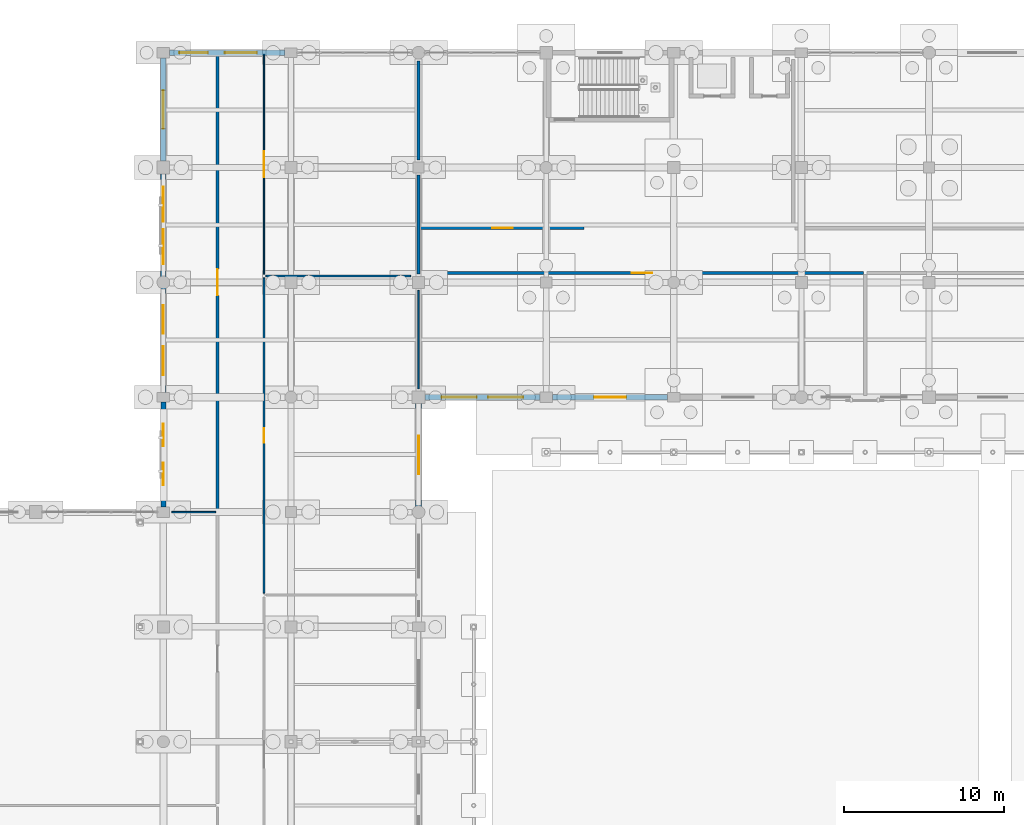
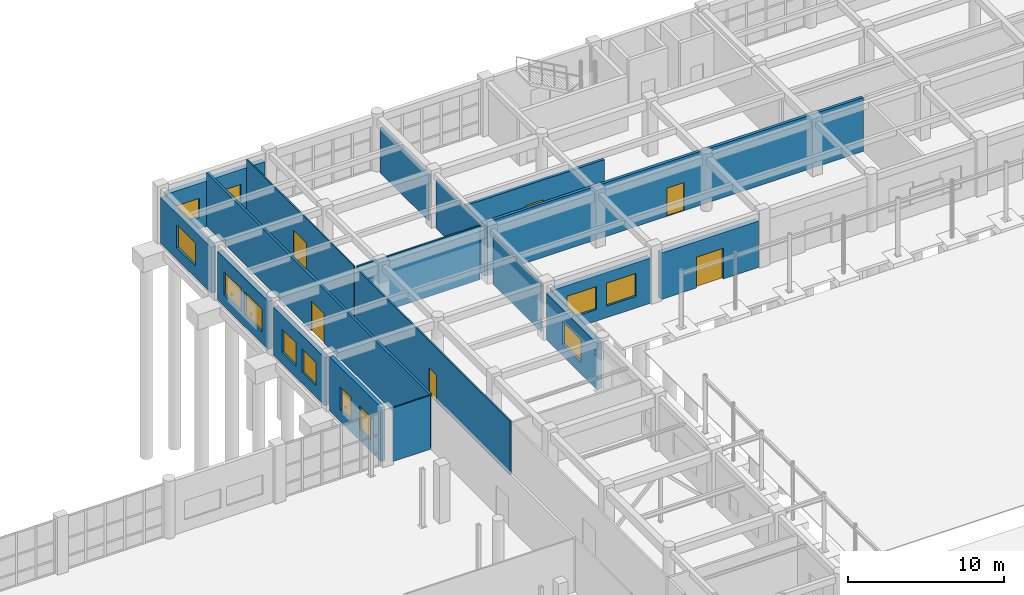
# One storey, part 135 of 166: 18 walls, 12 windows, 6 doors, 18 openings.
"""IFC4 building model written with IfcOpenShell, lengths in metres."""

from ifc_helpers import new_model, si_unit, direction, frame, frame_2d, origin, place, context, subcontext, project, spatial, rectangle, extrude, material, layer, layer_set, type_object, element, fill, save


model = new_model("IFC4")

# Units and contexts
model_context = context("Model", 3, precision=1e-05, world=origin(), true_north=direction((0.0, 1.0)))
body_context = subcontext(model_context, "Body", "Model", "MODEL_VIEW")
ifc_project = project(units=[si_unit("LENGTHUNIT", "METRE"), si_unit("AREAUNIT", "SQUARE_METRE"), si_unit("VOLUMEUNIT", "CUBIC_METRE"), si_unit("PLANEANGLEUNIT", "RADIAN"), si_unit("MASSUNIT", "GRAM", prefix="KILO")], contexts=[model_context])

# Site, building, storey
site_placement = place(None, origin())
site = spatial("IfcSite", under=ifc_project, at=site_placement, CompositionType="ELEMENT")
building_placement = place(site_placement, origin())
building = spatial("IfcBuilding", under=site, at=building_placement, Name="Kharva Crest Polytechnic", CompositionType="ELEMENT")
storey_placement = place(building_placement, origin())
storey = spatial("IfcBuildingStorey", under=building, at=storey_placement, Name="L00", CompositionType="ELEMENT", Elevation=0.0)

# Wall, openings, windows
ifc_material_1 = material(Name="Kiln brick masonry", Category="masonry")
ifc_layer_1 = layer(ifc_material_1, 0.304931640625, Name="Kiln brick masonry")
ifc_layer_set_1 = layer_set([ifc_layer_1], Name="Kiln brick masonry")
wall_type_1 = type_object("IfcWallType", Name="WL-EXT-BRK-305", PredefinedType="SOLIDWALL", material=ifc_layer_set_1)
wall_1_placement = place(storey_placement, frame((32.0, 100.10498046875, 0.0), z_axis=(0.0, 0.0, 1.0), x_axis=(0.0, -1.0, 0.0)))
wall_1 = element("IfcWall", 1, at=wall_1_placement, inside=storey, type_object=wall_type_1, Name="L00 Exterior Brick Wall 121", PredefinedType="SOLIDWALL", context=body_context, shape_type="SweptSolid", body=[
    extrude(rectangle(XDim=6.5849609375, YDim=0.304931640625, at=frame_2d((3.29248046875, 0.0))), origin(), (0.0, 0.0, 1.0), 4.219970703125),
])
opening_1_placement = place(wall_1_placement, frame((1.367919921875, 0.0, 0.89990234375)))
opening_1 = element("IfcOpeningElement", 2, at=opening_1_placement, cuts=wall_1, Name="Opening W07", PredefinedType="OPENING", context=body_context, shape_type="SweptSolid", body=[
    extrude(rectangle(XDim=1.39990234375, YDim=1.800048828125, at=frame_2d((0.699951171875, 0.89990234375))), frame((0.0, 0.162353515625, 0.0), z_axis=(0.0, -1.0, 0.0), x_axis=(1.0, 0.0, 0.0)), (0.0, 0.0, 1.0), 0.324951171875),
])
opening_2_placement = place(wall_1_placement, frame((3.81689453125, 0.0, 0.89990234375)))
opening_2 = element("IfcOpeningElement", 3, at=opening_2_placement, cuts=wall_1, Name="Opening W07", PredefinedType="OPENING", context=body_context, shape_type="SweptSolid", body=[
    extrude(rectangle(XDim=1.39990234375, YDim=1.800048828125, at=frame_2d((0.699951171875, 0.89990234375))), frame((0.0, 0.162353515625, 0.0), z_axis=(0.0, -1.0, 0.0), x_axis=(1.0, 0.0, 0.0)), (0.0, 0.0, 1.0), 0.324951171875),
])
ifc_material_2 = material(Name="Anodised aluminium", Category="aluminium")
window_type_1 = type_object("IfcWindowType", Name="WIN-ALU-1400X1800", PartitioningType="SINGLE_PANEL", PredefinedType="WINDOW", material=ifc_material_2)
window_1_placement = place(opening_1_placement, origin())
window_1 = element("IfcWindow", 4, at=window_1_placement, inside=storey, type_object=window_type_1, Name="L00 Exterior Window 150", OverallHeight=1.800048828125, OverallWidth=1.39990234375, PartitioningType="SINGLE_PANEL", PredefinedType="WINDOW", context=body_context, shape_type="SweptSolid", body=[
    extrude(rectangle(XDim=1.39990234375, YDim=1.800048828125, at=frame_2d((0.699951171875, 0.89990234375))), frame((0.0, 0.030029296875, 0.0), z_axis=(0.0, -1.0, 0.0), x_axis=(1.0, 0.0, 0.0)), (0.0, 0.0, 1.0), 0.06005859375),
])
fill(opening_1, window_1)
window_2_placement = place(opening_2_placement, origin())
window_2 = element("IfcWindow", 5, at=window_2_placement, inside=storey, type_object=window_type_1, Name="L00 Exterior Window 151", OverallHeight=1.800048828125, OverallWidth=1.39990234375, PartitioningType="SINGLE_PANEL", PredefinedType="WINDOW", context=body_context, shape_type="SweptSolid", body=[
    extrude(rectangle(XDim=1.39990234375, YDim=1.800048828125, at=frame_2d((0.699951171875, 0.89990234375))), frame((0.0, 0.030029296875, 0.0), z_axis=(0.0, -1.0, 0.0), x_axis=(1.0, 0.0, 0.0)), (0.0, 0.0, 1.0), 0.06005859375),
])
fill(opening_2, window_2)

ifc_layer_2 = layer(ifc_material_1, 0.320068359375, Name="Kiln brick masonry")
ifc_layer_set_2 = layer_set([ifc_layer_2], Name="Kiln brick masonry")
wall_type_2 = type_object("IfcWallType", Name="WL-EXT-BRK-320", PredefinedType="SOLIDWALL", material=ifc_layer_set_2)
wall_2_placement = place(storey_placement, frame((32.0, 107.263916015625, 0.0), z_axis=(0.0, 0.0, 1.0), x_axis=(0.0, -1.0, 0.0)))
wall_2 = element("IfcWall", 6, at=wall_2_placement, inside=storey, type_object=wall_type_2, Name="L00 Exterior Brick Wall 120", PredefinedType="SOLIDWALL", context=body_context, shape_type="SweptSolid", body=[
    extrude(rectangle(XDim=6.56884765625, YDim=0.320068359375, at=frame_2d((3.284423828125, 0.0))), origin(), (0.0, 0.0, 1.0), 3.760009765625),
])
opening_3_placement = place(wall_2_placement, frame((1.095947265625, 0.0, 0.89990234375)))
opening_3 = element("IfcOpeningElement", 7, at=opening_3_placement, cuts=wall_2, Name="Opening W05", PredefinedType="OPENING", context=body_context, shape_type="SweptSolid", body=[
    extrude(rectangle(XDim=1.800048828125, YDim=1.800048828125, at=frame_2d((0.89990234375, 0.89990234375))), frame((0.0, 0.169921875, 0.0), z_axis=(0.0, -1.0, 0.0), x_axis=(1.0, 0.0, 0.0)), (0.0, 0.0, 1.0), 0.340087890625),
])
opening_4_placement = place(wall_2_placement, frame((3.673095703125, 0.0, 0.89990234375)))
opening_4 = element("IfcOpeningElement", 8, at=opening_4_placement, cuts=wall_2, Name="Opening W05", PredefinedType="OPENING", context=body_context, shape_type="SweptSolid", body=[
    extrude(rectangle(XDim=1.800048828125, YDim=1.800048828125, at=frame_2d((0.89990234375, 0.89990234375))), frame((0.0, 0.169921875, 0.0), z_axis=(0.0, -1.0, 0.0), x_axis=(1.0, 0.0, 0.0)), (0.0, 0.0, 1.0), 0.340087890625),
])
window_type_2 = type_object("IfcWindowType", Name="WIN-ALU-1800X1800", PartitioningType="SINGLE_PANEL", PredefinedType="WINDOW", material=ifc_material_2)
window_3_placement = place(opening_3_placement, origin())
window_3 = element("IfcWindow", 9, at=window_3_placement, inside=storey, type_object=window_type_2, Name="L00 Exterior Window 148", OverallHeight=1.800048828125, OverallWidth=1.800048828125, PartitioningType="SINGLE_PANEL", PredefinedType="WINDOW", context=body_context, shape_type="SweptSolid", body=[
    extrude(rectangle(XDim=1.800048828125, YDim=1.800048828125, at=frame_2d((0.89990234375, 0.89990234375))), frame((0.0, 0.030029296875, 0.0), z_axis=(0.0, -1.0, 0.0), x_axis=(1.0, 0.0, 0.0)), (0.0, 0.0, 1.0), 0.06005859375),
])
fill(opening_3, window_3)
window_4_placement = place(opening_4_placement, origin())
window_4 = element("IfcWindow", 10, at=window_4_placement, inside=storey, type_object=window_type_2, Name="L00 Exterior Window 149", OverallHeight=1.800048828125, OverallWidth=1.800048828125, PartitioningType="SINGLE_PANEL", PredefinedType="WINDOW", context=body_context, shape_type="SweptSolid", body=[
    extrude(rectangle(XDim=1.800048828125, YDim=1.800048828125, at=frame_2d((0.89990234375, 0.89990234375))), frame((0.0, 0.030029296875, 0.0), z_axis=(0.0, -1.0, 0.0), x_axis=(1.0, 0.0, 0.0)), (0.0, 0.0, 1.0), 0.06005859375),
])
fill(opening_4, window_4)

ifc_layer_3 = layer(ifc_material_1, 0.3349609375, Name="Kiln brick masonry")
ifc_layer_set_3 = layer_set([ifc_layer_3], Name="Kiln brick masonry")
wall_type_3 = type_object("IfcWallType", Name="WL-EXT-BRK-335", PredefinedType="SOLIDWALL", material=ifc_layer_set_3)
wall_3_placement = place(storey_placement, frame((32.0, 114.405029296875, 0.0), z_axis=(0.0, 0.0, 1.0), x_axis=(0.0, -1.0, 0.0)))
wall_3 = element("IfcWall", 11, at=wall_3_placement, inside=storey, type_object=wall_type_3, Name="L00 Exterior Brick Wall 119", PredefinedType="SOLIDWALL", context=body_context, shape_type="SweptSolid", body=[
    extrude(rectangle(XDim=6.468994140625, YDim=0.3349609375, at=frame_2d((3.234375, 0.0))), origin(), (0.0, 0.0, 1.0), 3.780029296875),
])
opening_5_placement = place(wall_3_placement, frame((0.7958984375, 0.0, 0.89990234375)))
opening_5 = element("IfcOpeningElement", 12, at=opening_5_placement, cuts=wall_3, Name="Opening W03", PredefinedType="OPENING", context=body_context, shape_type="SweptSolid", body=[
    extrude(rectangle(XDim=2.199951171875, YDim=1.800048828125, at=frame_2d((1.10009765625, 0.89990234375))), frame((0.0, 0.177490234375, 0.0), z_axis=(0.0, -1.0, 0.0), x_axis=(1.0, 0.0, 0.0)), (0.0, 0.0, 1.0), 0.35498046875),
])
opening_6_placement = place(wall_3_placement, frame((3.472900390625, 0.0, 0.89990234375)))
opening_6 = element("IfcOpeningElement", 13, at=opening_6_placement, cuts=wall_3, Name="Opening W03", PredefinedType="OPENING", context=body_context, shape_type="SweptSolid", body=[
    extrude(rectangle(XDim=2.199951171875, YDim=1.800048828125, at=frame_2d((1.10009765625, 0.89990234375))), frame((0.0, 0.177490234375, 0.0), z_axis=(0.0, -1.0, 0.0), x_axis=(1.0, 0.0, 0.0)), (0.0, 0.0, 1.0), 0.35498046875),
])
window_type_3 = type_object("IfcWindowType", Name="WIN-ALU-2200X1800", PartitioningType="SINGLE_PANEL", PredefinedType="WINDOW", material=ifc_material_2)
window_5_placement = place(opening_5_placement, origin())
window_5 = element("IfcWindow", 14, at=window_5_placement, inside=storey, type_object=window_type_3, Name="L00 Exterior Window 146", OverallHeight=1.800048828125, OverallWidth=2.199951171875, PartitioningType="SINGLE_PANEL", PredefinedType="WINDOW", context=body_context, shape_type="SweptSolid", body=[
    extrude(rectangle(XDim=2.199951171875, YDim=1.800048828125, at=frame_2d((1.10009765625, 0.89990234375))), frame((0.0, 0.030029296875, 0.0), z_axis=(0.0, -1.0, 0.0), x_axis=(1.0, 0.0, 0.0)), (0.0, 0.0, 1.0), 0.06005859375),
])
fill(opening_5, window_5)
window_6_placement = place(opening_6_placement, origin())
window_6 = element("IfcWindow", 15, at=window_6_placement, inside=storey, type_object=window_type_3, Name="L00 Exterior Window 147", OverallHeight=1.800048828125, OverallWidth=2.199951171875, PartitioningType="SINGLE_PANEL", PredefinedType="WINDOW", context=body_context, shape_type="SweptSolid", body=[
    extrude(rectangle(XDim=2.199951171875, YDim=1.800048828125, at=frame_2d((1.10009765625, 0.89990234375))), frame((0.0, 0.030029296875, 0.0), z_axis=(0.0, -1.0, 0.0), x_axis=(1.0, 0.0, 0.0)), (0.0, 0.0, 1.0), 0.06005859375),
])
fill(opening_6, window_6)

# Wall, opening, door
ifc_layer_4 = layer(ifc_material_1, 0.35009765625, Name="Kiln brick masonry")
ifc_layer_set_4 = layer_set([ifc_layer_4], Name="Kiln brick masonry")
wall_type_4 = type_object("IfcWallType", Name="WL-EXT-BRK-350", PredefinedType="SOLIDWALL", material=ifc_layer_set_4)
wall_4_placement = place(storey_placement, frame((56.39501953125, 100.39990234375, 0.0), z_axis=(0.0, 0.0, 1.0), x_axis=(1.0, 0.0, 0.0)))
wall_4 = element("IfcWall", 16, at=wall_4_placement, inside=storey, type_object=wall_type_4, Name="L00 Exterior Brick Wall 81", PredefinedType="SOLIDWALL", context=body_context, shape_type="SweptSolid", body=[
    extrude(rectangle(XDim=7.219970703125, YDim=0.35009765625, at=frame_2d((3.60986328125, 0.0))), origin(), (0.0, 0.0, 1.0), 3.6201171875),
])
opening_7_placement = place(wall_4_placement, frame((2.610107421875, 0.0, 0.0)))
opening_7 = element("IfcOpeningElement", 17, at=opening_7_placement, cuts=wall_4, Name="Opening ED2", PredefinedType="OPENING", context=body_context, shape_type="SweptSolid", body=[
    extrude(rectangle(XDim=2.0, YDim=2.39990234375, at=frame_2d((1.0, 1.199951171875))), frame((0.0, 0.18505859375, 0.0), z_axis=(0.0, -1.0, 0.0), x_axis=(1.0, 0.0, 0.0)), (0.0, 0.0, 1.0), 0.3701171875),
])
door_type_1 = type_object("IfcDoorType", Name="DR-EXT-DBL-2000X2400", OperationType="NOTDEFINED", PredefinedType="DOOR", material=ifc_material_2)
door_1_placement = place(opening_7_placement, frame((2.0, 0.0, 0.0), z_axis=(0.0, 0.0, 1.0), x_axis=(-1.0, 0.0, 0.0)))
door_1 = element("IfcDoor", 18, at=door_1_placement, inside=storey, type_object=door_type_1, Name="L00 VER_N_L00 Access Door 17", OperationType="DOUBLE_DOOR_SINGLE_SWING", OverallHeight=2.39990234375, OverallWidth=2.0, PredefinedType="DOOR", context=body_context, shape_type="SweptSolid", body=[
    extrude(rectangle(XDim=2.0, YDim=2.39990234375, at=frame_2d((1.0, 1.199951171875))), frame((0.0, 0.02490234375, 0.0), z_axis=(0.0, -1.0, 0.0), x_axis=(1.0, 0.0, 0.0)), (0.0, 0.0, 1.0), 0.050048828125),
])
fill(opening_7, door_1)

# Wall, opening, window
wall_5_placement = place(storey_placement, frame((32.0, 121.679931640625, 0.0), z_axis=(0.0, 0.0, 1.0), x_axis=(0.0, -1.0, 0.0)))
wall_5 = element("IfcWall", 19, at=wall_5_placement, inside=storey, type_object=wall_type_4, Name="L00 Exterior Brick Wall 118", PredefinedType="SOLIDWALL", context=body_context, shape_type="SweptSolid", body=[
    extrude(rectangle(XDim=6.48486328125, YDim=0.35009765625, at=frame_2d((3.242431640625, 0.0))), origin(), (0.0, 0.0, 1.0), 3.60009765625),
])
opening_8_placement = place(wall_5_placement, frame((2.04296875, 0.0, 0.89990234375)))
opening_8 = element("IfcOpeningElement", 20, at=opening_8_placement, cuts=wall_5, Name="Opening W02", PredefinedType="OPENING", context=body_context, shape_type="SweptSolid", body=[
    extrude(rectangle(XDim=2.39990234375, YDim=1.800048828125, at=frame_2d((1.199951171875, 0.89990234375))), frame((0.0, 0.18505859375, 0.0), z_axis=(0.0, -1.0, 0.0), x_axis=(1.0, 0.0, 0.0)), (0.0, 0.0, 1.0), 0.3701171875),
])
window_type_4 = type_object("IfcWindowType", Name="WIN-ALU-2400X1800", PartitioningType="SINGLE_PANEL", PredefinedType="WINDOW", material=ifc_material_2)
window_7_placement = place(opening_8_placement, origin())
window_7 = element("IfcWindow", 21, at=window_7_placement, inside=storey, type_object=window_type_4, Name="L00 Exterior Window 145", OverallHeight=1.800048828125, OverallWidth=2.39990234375, PartitioningType="SINGLE_PANEL", PredefinedType="WINDOW", context=body_context, shape_type="SweptSolid", body=[
    extrude(rectangle(XDim=2.39990234375, YDim=1.800048828125, at=frame_2d((1.199951171875, 0.89990234375))), frame((0.0, 0.030029296875, 0.0), z_axis=(0.0, -1.0, 0.0), x_axis=(1.0, 0.0, 0.0)), (0.0, 0.0, 1.0), 0.06005859375),
])
fill(opening_8, window_7)

# Wall, openings, windows
ifc_layer_5 = layer(ifc_material_1, 0.364990234375, Name="Kiln brick masonry")
ifc_layer_set_5 = layer_set([ifc_layer_5], Name="Kiln brick masonry")
wall_type_5 = type_object("IfcWallType", Name="WL-EXT-BRK-365", PredefinedType="SOLIDWALL", material=ifc_layer_set_5)
wall_6_placement = place(storey_placement, frame((48.39501953125, 100.39990234375, 0.0), z_axis=(0.0, 0.0, 1.0), x_axis=(1.0, 0.0, 0.0)))
wall_6 = element("IfcWall", 22, at=wall_6_placement, inside=storey, type_object=wall_type_5, Name="L00 Exterior Brick Wall 80", PredefinedType="SOLIDWALL", context=body_context, shape_type="SweptSolid", body=[
    extrude(rectangle(XDim=7.2099609375, YDim=0.364990234375, at=frame_2d((3.60498046875, 0.0))), origin(), (0.0, 0.0, 1.0), 3.5400390625),
])
opening_9_placement = place(wall_6_placement, frame((1.04296875, 0.0, 0.89990234375)))
opening_9 = element("IfcOpeningElement", 23, at=opening_9_placement, cuts=wall_6, Name="Opening W03", PredefinedType="OPENING", context=body_context, shape_type="SweptSolid", body=[
    extrude(rectangle(XDim=2.199951171875, YDim=1.800048828125, at=frame_2d((1.10009765625, 0.89990234375))), frame((0.0, 0.1923828125, 0.0), z_axis=(0.0, -1.0, 0.0), x_axis=(1.0, 0.0, 0.0)), (0.0, 0.0, 1.0), 0.385009765625),
])
opening_10_placement = place(wall_6_placement, frame((3.967041015625, 0.0, 0.89990234375)))
opening_10 = element("IfcOpeningElement", 24, at=opening_10_placement, cuts=wall_6, Name="Opening W03", PredefinedType="OPENING", context=body_context, shape_type="SweptSolid", body=[
    extrude(rectangle(XDim=2.199951171875, YDim=1.800048828125, at=frame_2d((1.10009765625, 0.89990234375))), frame((0.0, 0.1923828125, 0.0), z_axis=(0.0, -1.0, 0.0), x_axis=(1.0, 0.0, 0.0)), (0.0, 0.0, 1.0), 0.385009765625),
])
window_8_placement = place(opening_9_placement, origin())
window_8 = element("IfcWindow", 25, at=window_8_placement, inside=storey, type_object=window_type_3, Name="L00 Exterior Window 98", OverallHeight=1.800048828125, OverallWidth=2.199951171875, PartitioningType="SINGLE_PANEL", PredefinedType="WINDOW", context=body_context, shape_type="SweptSolid", body=[
    extrude(rectangle(XDim=2.199951171875, YDim=1.800048828125, at=frame_2d((1.10009765625, 0.89990234375))), frame((0.0, 0.030029296875, 0.0), z_axis=(0.0, -1.0, 0.0), x_axis=(1.0, 0.0, 0.0)), (0.0, 0.0, 1.0), 0.06005859375),
])
fill(opening_9, window_8)
window_9_placement = place(opening_10_placement, origin())
window_9 = element("IfcWindow", 26, at=window_9_placement, inside=storey, type_object=window_type_3, Name="L00 Exterior Window 99", OverallHeight=1.800048828125, OverallWidth=2.199951171875, PartitioningType="SINGLE_PANEL", PredefinedType="WINDOW", context=body_context, shape_type="SweptSolid", body=[
    extrude(rectangle(XDim=2.199951171875, YDim=1.800048828125, at=frame_2d((1.10009765625, 0.89990234375))), frame((0.0, 0.030029296875, 0.0), z_axis=(0.0, -1.0, 0.0), x_axis=(1.0, 0.0, 0.0)), (0.0, 0.0, 1.0), 0.06005859375),
])
fill(opening_10, window_9)

wall_7_placement = place(storey_placement, frame((39.614990234375, 122.0, 0.0), z_axis=(0.0, 0.0, 1.0), x_axis=(-1.0, 0.0, 0.0)))
wall_7 = element("IfcWall", 27, at=wall_7_placement, inside=storey, type_object=wall_type_5, Name="L00 Exterior Brick Wall 117", PredefinedType="SOLIDWALL", context=body_context, shape_type="SweptSolid", body=[
    extrude(rectangle(XDim=7.219970703125, YDim=0.364990234375, at=frame_2d((3.60986328125, 0.0))), origin(), (0.0, 0.0, 1.0), 3.570068359375),
])
opening_11_placement = place(wall_7_placement, frame((1.760009765625, 0.0, 0.89990234375)))
opening_11 = element("IfcOpeningElement", 28, at=opening_11_placement, cuts=wall_7, Name="Opening W12", PredefinedType="OPENING", context=body_context, shape_type="SweptSolid", body=[
    extrude(rectangle(XDim=2.0, YDim=1.5, at=frame_2d((1.0, 0.75))), frame((0.0, 0.1923828125, 0.0), z_axis=(0.0, -1.0, 0.0), x_axis=(1.0, 0.0, 0.0)), (0.0, 0.0, 1.0), 0.385009765625),
])
opening_12_placement = place(wall_7_placement, frame((4.81689453125, 0.0, 0.89990234375)))
opening_12 = element("IfcOpeningElement", 29, at=opening_12_placement, cuts=wall_7, Name="Opening W13", PredefinedType="OPENING", context=body_context, shape_type="SweptSolid", body=[
    extrude(rectangle(XDim=1.800048828125, YDim=1.5, at=frame_2d((0.89990234375, 0.75))), frame((0.0, 0.1923828125, 0.0), z_axis=(0.0, -1.0, 0.0), x_axis=(1.0, 0.0, 0.0)), (0.0, 0.0, 1.0), 0.385009765625),
])
window_type_5 = type_object("IfcWindowType", Name="WIN-ALU-1800X1500", PartitioningType="SINGLE_PANEL", PredefinedType="WINDOW", material=ifc_material_2)
window_10_placement = place(opening_12_placement, origin())
window_10 = element("IfcWindow", 30, at=window_10_placement, inside=storey, type_object=window_type_5, Name="L00 Exterior Window 144", OverallHeight=1.5, OverallWidth=1.800048828125, PartitioningType="SINGLE_PANEL", PredefinedType="WINDOW", context=body_context, shape_type="SweptSolid", body=[
    extrude(rectangle(XDim=1.800048828125, YDim=1.5, at=frame_2d((0.89990234375, 0.75))), frame((0.0, 0.030029296875, 0.0), z_axis=(0.0, -1.0, 0.0), x_axis=(1.0, 0.0, 0.0)), (0.0, 0.0, 1.0), 0.06005859375),
])
fill(opening_12, window_10)
window_type_6 = type_object("IfcWindowType", Name="WIN-ALU-2000X1500", PartitioningType="SINGLE_PANEL", PredefinedType="WINDOW", material=ifc_material_2)
window_11_placement = place(opening_11_placement, origin())
window_11 = element("IfcWindow", 31, at=window_11_placement, inside=storey, type_object=window_type_6, Name="L00 Exterior Window 143", OverallHeight=1.5, OverallWidth=2.0, PartitioningType="SINGLE_PANEL", PredefinedType="WINDOW", context=body_context, shape_type="SweptSolid", body=[
    extrude(rectangle(XDim=2.0, YDim=1.5, at=frame_2d((1.0, 0.75))), frame((0.0, 0.030029296875, 0.0), z_axis=(0.0, -1.0, 0.0), x_axis=(1.0, 0.0, 0.0)), (0.0, 0.0, 1.0), 0.06005859375),
])
fill(opening_11, window_11)

# Wall, opening, window
ifc_layer_6 = layer(ifc_material_1, 0.3798828125, Name="Kiln brick masonry")
ifc_layer_set_6 = layer_set([ifc_layer_6], Name="Kiln brick masonry")
wall_type_6 = type_object("IfcWallType", Name="WL-EXT-BRK-380", PredefinedType="SOLIDWALL", material=ifc_layer_set_6)
wall_8_placement = place(storey_placement, frame((48.0, 93.535888671875, 0.0), z_axis=(0.0, 0.0, 1.0), x_axis=(0.0, 1.0, 0.0)))
wall_8 = element("IfcWall", 32, at=wall_8_placement, inside=storey, type_object=wall_type_6, Name="L00 Exterior Brick Wall 79", PredefinedType="SOLIDWALL", context=body_context, shape_type="SweptSolid", body=[
    extrude(rectangle(XDim=6.468994140625, YDim=0.3798828125, at=frame_2d((3.234375, 0.0))), origin(), (0.0, 0.0, 1.0), 3.639892578125),
])
opening_13_placement = place(wall_8_placement, frame((2.033935546875, 0.0, 0.89990234375)))
opening_13 = element("IfcOpeningElement", 33, at=opening_13_placement, cuts=wall_8, Name="Opening W02", PredefinedType="OPENING", context=body_context, shape_type="SweptSolid", body=[
    extrude(rectangle(XDim=2.39990234375, YDim=1.800048828125, at=frame_2d((1.199951171875, 0.89990234375))), frame((0.0, 0.199951171875, 0.0), z_axis=(0.0, -1.0, 0.0), x_axis=(1.0, 0.0, 0.0)), (0.0, 0.0, 1.0), 0.39990234375),
])
window_12_placement = place(opening_13_placement, origin())
window_12 = element("IfcWindow", 34, at=window_12_placement, inside=storey, type_object=window_type_4, Name="L00 Exterior Window 97", OverallHeight=1.800048828125, OverallWidth=2.39990234375, PartitioningType="SINGLE_PANEL", PredefinedType="WINDOW", context=body_context, shape_type="SweptSolid", body=[
    extrude(rectangle(XDim=2.39990234375, YDim=1.800048828125, at=frame_2d((1.199951171875, 0.89990234375))), frame((0.0, 0.030029296875, 0.0), z_axis=(0.0, -1.0, 0.0), x_axis=(1.0, 0.0, 0.0)), (0.0, 0.0, 1.0), 0.06005859375),
])
fill(opening_13, window_12)

# Wall, opening, door
ifc_layer_7 = layer(ifc_material_1, 0.199951171875, Name="Kiln brick masonry")
ifc_layer_set_7 = layer_set([ifc_layer_7], Name="Kiln brick masonry")
wall_type_7 = type_object("IfcWallType", Name="WL-FIRE-FW1-200", PredefinedType="SOLIDWALL", material=ifc_layer_set_7)
wall_9_placement = place(storey_placement, frame((48.1201171875, 111.010009765625, 0.0), z_axis=(0.0, 0.0, 1.0), x_axis=(1.0, 0.0, 0.0)))
wall_9 = element("IfcWall", 35, at=wall_9_placement, inside=storey, type_object=wall_type_7, Name="L00 Interior Partition 99", PredefinedType="SOLIDWALL", context=body_context, shape_type="SweptSolid", body=[
    extrude(rectangle(XDim=10.259765625, YDim=0.199951171875, at=frame_2d((5.1298828125, 0.0))), origin(), (0.0, 0.0, 1.0), 3.760009765625),
])
opening_14_placement = place(wall_9_placement, frame((4.489990234375, 0.0, 0.0)))
opening_14 = element("IfcOpeningElement", 36, at=opening_14_placement, cuts=wall_9, Name="Opening ID7", PredefinedType="OPENING", context=body_context, shape_type="SweptSolid", body=[
    extrude(rectangle(XDim=1.280029296875, YDim=2.199951171875, at=frame_2d((0.64013671875, 1.10009765625))), frame((0.0, 0.10986328125, 0.0), z_axis=(0.0, -1.0, 0.0), x_axis=(1.0, 0.0, 0.0)), (0.0, 0.0, 1.0), 0.219970703125),
])
ifc_material_3 = material(Name="Teak timber", Category="wood")
door_type_2 = type_object("IfcDoorType", Name="DR-LAB-1280X2200", OperationType="NOTDEFINED", PredefinedType="DOOR", material=ifc_material_3)
door_2_placement = place(opening_14_placement, origin())
door_2 = element("IfcDoor", 37, at=door_2_placement, inside=storey, type_object=door_type_2, Name="L00 Chemical Engineering Wet Laboratory Door", OperationType="SINGLE_SWING_RIGHT", OverallHeight=2.199951171875, OverallWidth=1.280029296875, PredefinedType="DOOR", context=body_context, shape_type="SweptSolid", body=[
    extrude(rectangle(XDim=1.280029296875, YDim=2.199951171875, at=frame_2d((0.64013671875, 1.10009765625))), frame((0.0, 0.02490234375, 0.0), z_axis=(0.0, -1.0, 0.0), x_axis=(1.0, 0.0, 0.0)), (0.0, 0.0, 1.0), 0.050048828125),
])
fill(opening_14, door_2)

# Wall
ifc_layer_8 = layer(ifc_material_1, 0.090087890625, Name="Kiln brick masonry")
ifc_layer_set_8 = layer_set([ifc_layer_8], Name="Kiln brick masonry")
wall_type_8 = type_object("IfcWallType", Name="WL-PART-090", PredefinedType="PARTITIONING", material=ifc_layer_set_8)
wall_10_placement = place(storey_placement, frame((32.530029296875, 93.199951171875, 0.0), z_axis=(0.0, 0.0, 1.0), x_axis=(1.0, 0.0, 0.0)))
element("IfcWall", 38, at=wall_10_placement, inside=storey, type_object=wall_type_8, Name="L00 Interior Partition 29", PredefinedType="PARTITIONING", context=body_context, shape_type="SweptSolid", body=[
    extrude(rectangle(XDim=2.75, YDim=0.090087890625, at=frame_2d((1.375, 0.0))), origin(), (0.0, 0.0, 1.0), 4.199951171875),
])

# Wall, opening, door
wall_11_placement = place(storey_placement, frame((38.31005859375, 108.1201171875, 0.0), z_axis=(0.0, 0.0, 1.0), x_axis=(0.0, 1.0, 0.0)))
wall_11 = element("IfcWall", 39, at=wall_11_placement, inside=storey, type_object=wall_type_8, Name="L00 Interior Partition 39", PredefinedType="PARTITIONING", context=body_context, shape_type="SweptSolid", body=[
    extrude(rectangle(XDim=13.769775390625, YDim=0.090087890625, at=frame_2d((6.884765625, 0.0))), origin(), (0.0, 0.0, 1.0), 4.199951171875),
])
opening_15_placement = place(wall_11_placement, frame((6.06005859375, 0.0, 0.0)))
opening_15 = element("IfcOpeningElement", 40, at=opening_15_placement, cuts=wall_11, Name="Opening ID3", PredefinedType="OPENING", context=body_context, shape_type="SweptSolid", body=[
    extrude(rectangle(XDim=1.64990234375, YDim=2.300048828125, at=frame_2d((0.824951171875, 1.14990234375))), frame((0.0, 0.054931640625, 0.0), z_axis=(0.0, -1.0, 0.0), x_axis=(1.0, 0.0, 0.0)), (0.0, 0.0, 1.0), 0.110107421875),
])
door_type_3 = type_object("IfcDoorType", Name="DR-WKSHP-DBL-1650X2300", OperationType="NOTDEFINED", PredefinedType="DOOR", material=ifc_material_3)
door_3_placement = place(opening_15_placement, origin())
door_3 = element("IfcDoor", 41, at=door_3_placement, inside=storey, type_object=door_type_3, Name="L00 Workshop Washrooms and Accessible WC L00 Door", OperationType="DOUBLE_DOOR_SINGLE_SWING", OverallHeight=2.300048828125, OverallWidth=1.64990234375, PredefinedType="DOOR", context=body_context, shape_type="SweptSolid", body=[
    extrude(rectangle(XDim=1.64990234375, YDim=2.300048828125, at=frame_2d((0.824951171875, 1.14990234375))), frame((0.0, 0.02490234375, 0.0), z_axis=(0.0, -1.0, 0.0), x_axis=(1.0, 0.0, 0.0)), (0.0, 0.0, 1.0), 0.050048828125),
])
fill(opening_15, door_3)

# Wall
ifc_layer_9 = layer(ifc_material_1, 0.10009765625, Name="Kiln brick masonry")
ifc_layer_set_9 = layer_set([ifc_layer_9], Name="Kiln brick masonry")
wall_type_9 = type_object("IfcWallType", Name="WL-PART-100", PredefinedType="PARTITIONING", material=ifc_layer_set_9)
wall_12_placement = place(storey_placement, frame((48.0, 100.929931640625, 0.0), z_axis=(0.0, 0.0, 1.0), x_axis=(0.0, 1.0, 0.0)))
element("IfcWall", 42, at=wall_12_placement, inside=storey, type_object=wall_type_9, Name="L00 Interior Partition 38", PredefinedType="PARTITIONING", context=body_context, shape_type="SweptSolid", body=[
    extrude(rectangle(XDim=6.170166015625, YDim=0.10009765625, at=frame_2d((3.0849609375, 0.0))), origin(), (0.0, 0.0, 1.0), 3.739990234375),
])

# Wall, opening, door
ifc_layer_10 = layer(ifc_material_1, 0.110107421875, Name="Kiln brick masonry")
ifc_layer_set_10 = layer_set([ifc_layer_10], Name="Kiln brick masonry")
wall_type_10 = type_object("IfcWallType", Name="WL-PART-110", PredefinedType="PARTITIONING", material=ifc_layer_set_10)
wall_13_placement = place(storey_placement, frame((38.31005859375, 88.1201171875, 0.0), z_axis=(0.0, 0.0, 1.0), x_axis=(0.0, 1.0, 0.0)))
wall_13 = element("IfcWall", 43, at=wall_13_placement, inside=storey, type_object=wall_type_10, Name="L00 Interior Partition 37", PredefinedType="PARTITIONING", context=body_context, shape_type="SweptSolid", body=[
    extrude(rectangle(XDim=19.769775390625, YDim=0.110107421875, at=frame_2d((9.884765625, 0.0))), origin(), (0.0, 0.0, 1.0), 4.199951171875),
])
opening_16_placement = place(wall_13_placement, frame((9.425048828125, 0.0, 0.0)))
opening_16 = element("IfcOpeningElement", 44, at=opening_16_placement, cuts=wall_13, Name="Opening ID16", PredefinedType="OPENING", context=body_context, shape_type="SweptSolid", body=[
    extrude(rectangle(XDim=0.919921875, YDim=2.10009765625, at=frame_2d((0.4599609375, 1.050048828125))), frame((0.0, 0.06494140625, 0.0), z_axis=(0.0, -1.0, 0.0), x_axis=(1.0, 0.0, 0.0)), (0.0, 0.0, 1.0), 0.130126953125),
])
door_type_4 = type_object("IfcDoorType", Name="DR-STR-920X2100", OperationType="NOTDEFINED", PredefinedType="DOOR", material=ifc_material_3)
door_4_placement = place(opening_16_placement, origin())
door_4 = element("IfcDoor", 45, at=door_4_placement, inside=storey, type_object=door_type_4, Name="L00 Tool Crib and Equipment Store Door", OperationType="SINGLE_SWING_LEFT", OverallHeight=2.10009765625, OverallWidth=0.919921875, PredefinedType="DOOR", context=body_context, shape_type="SweptSolid", body=[
    extrude(rectangle(XDim=0.919921875, YDim=2.10009765625, at=frame_2d((0.4599609375, 1.050048828125))), frame((0.0, 0.02490234375, 0.0), z_axis=(0.0, -1.0, 0.0), x_axis=(1.0, 0.0, 0.0)), (0.0, 0.0, 1.0), 0.050048828125),
])
fill(opening_16, door_4)

# Wall
ifc_layer_11 = layer(ifc_material_1, 0.1201171875, Name="Kiln brick masonry")
ifc_layer_set_11 = layer_set([ifc_layer_11], Name="Kiln brick masonry")
wall_type_11 = type_object("IfcWallType", Name="WL-PART-120", PredefinedType="PARTITIONING", material=ifc_layer_set_11)
wall_14_placement = place(storey_placement, frame((38.419921875, 108.0, 0.0), z_axis=(0.0, 0.0, 1.0), x_axis=(1.0, 0.0, 0.0)))
element("IfcWall", 46, at=wall_14_placement, inside=storey, type_object=wall_type_11, Name="L00 Interior Partition 36", PredefinedType="PARTITIONING", context=body_context, shape_type="SweptSolid", body=[
    extrude(rectangle(XDim=9.080078125, YDim=0.1201171875, at=frame_2d((4.5400390625, 0.0))), origin(), (0.0, 0.0, 1.0), 4.199951171875),
])

# Wall, opening, door
ifc_layer_12 = layer(ifc_material_1, 0.169921875, Name="Kiln brick masonry")
ifc_layer_set_12 = layer_set([ifc_layer_12], Name="Kiln brick masonry")
wall_type_12 = type_object("IfcWallType", Name="WL-PART-170", PredefinedType="PARTITIONING", material=ifc_layer_set_12)
wall_15_placement = place(storey_placement, frame((35.389892578125, 93.320068359375, 0.0), z_axis=(0.0, 0.0, 1.0), x_axis=(0.0, 1.0, 0.0)))
wall_15 = element("IfcWall", 47, at=wall_15_placement, inside=storey, type_object=wall_type_12, Name="L00 Interior Partition 31", PredefinedType="PARTITIONING", context=body_context, shape_type="SweptSolid", body=[
    extrude(rectangle(XDim=28.56982421875, YDim=0.169921875, at=frame_2d((14.284912109375, 0.0))), origin(), (0.0, 0.0, 1.0), 4.199951171875),
])
opening_17_placement = place(wall_15_placement, frame((13.4599609375, 0.0, 0.0)))
opening_17 = element("IfcOpeningElement", 48, at=opening_17_placement, cuts=wall_15, Name="Opening ID3", PredefinedType="OPENING", context=body_context, shape_type="SweptSolid", body=[
    extrude(rectangle(XDim=1.64990234375, YDim=2.300048828125, at=frame_2d((0.824951171875, 1.14990234375))), frame((0.0, 0.094970703125, 0.0), z_axis=(0.0, -1.0, 0.0), x_axis=(1.0, 0.0, 0.0)), (0.0, 0.0, 1.0), 0.18994140625),
])
door_5_placement = place(opening_17_placement, origin())
door_5 = element("IfcDoor", 49, at=door_5_placement, inside=storey, type_object=door_type_3, Name="L00 Foundry and Patternmaking Workshop Door", OperationType="DOUBLE_DOOR_SINGLE_SWING", OverallHeight=2.300048828125, OverallWidth=1.64990234375, PredefinedType="DOOR", context=body_context, shape_type="SweptSolid", body=[
    extrude(rectangle(XDim=1.64990234375, YDim=2.300048828125, at=frame_2d((0.824951171875, 1.14990234375))), frame((0.0, 0.02490234375, 0.0), z_axis=(0.0, -1.0, 0.0), x_axis=(1.0, 0.0, 0.0)), (0.0, 0.0, 1.0), 0.050048828125),
])
fill(opening_17, door_5)

# Walls
wall_16_placement = place(storey_placement, frame((48.0, 115.280029296875, 0.0), z_axis=(0.0, 0.0, 1.0), x_axis=(0.0, 1.0, 0.0)))
element("IfcWall", 50, at=wall_16_placement, inside=storey, type_object=wall_type_12, Name="L00 Interior Partition 41", PredefinedType="PARTITIONING", context=body_context, shape_type="SweptSolid", body=[
    extrude(rectangle(XDim=6.18994140625, YDim=0.169921875, at=frame_2d((3.094970703125, 0.0))), origin(), (0.0, 0.0, 1.0), 3.5400390625),
])
ifc_layer_13 = layer(ifc_material_1, 0.179931640625, Name="Kiln brick masonry")
ifc_layer_set_13 = layer_set([ifc_layer_13], Name="Kiln brick masonry")
wall_type_13 = type_object("IfcWallType", Name="WL-PART-180", PredefinedType="PARTITIONING", material=ifc_layer_set_13)
wall_17_placement = place(storey_placement, frame((48.0, 108.1201171875, 0.0), z_axis=(0.0, 0.0, 1.0), x_axis=(0.0, 1.0, 0.0)))
element("IfcWall", 51, at=wall_17_placement, inside=storey, type_object=wall_type_13, Name="L00 Interior Partition 40", PredefinedType="PARTITIONING", context=body_context, shape_type="SweptSolid", body=[
    extrude(rectangle(XDim=6.199951171875, YDim=0.179931640625, at=frame_2d((3.10009765625, 0.0))), origin(), (0.0, 0.0, 1.0), 3.77001953125),
])

# Wall, opening, door
ifc_layer_14 = layer(ifc_material_1, 0.215087890625, Name="Kiln brick masonry")
ifc_layer_set_14 = layer_set([ifc_layer_14], Name="Kiln brick masonry")
wall_type_14 = type_object("IfcWallType", Name="WL-PART-215", PredefinedType="PARTITIONING", material=ifc_layer_set_14)
wall_18_placement = place(storey_placement, frame((48.118896484375, 108.18994140625, 0.0), z_axis=(0.0, 0.0, 1.0), x_axis=(1.0, 0.0, 0.0)))
wall_18 = element("IfcWall", 52, at=wall_18_placement, inside=storey, type_object=wall_type_14, Name="L00 Interior Partition 89", PredefinedType="PARTITIONING", context=body_context, shape_type="SweptSolid", body=[
    extrude(rectangle(XDim=27.77099609375, YDim=0.215087890625, at=frame_2d((13.885498046875, 0.0))), origin(), (0.0, 0.0, 1.0), 4.199951171875),
])
opening_18_placement = place(wall_18_placement, frame((13.2451171875, 0.0, 0.0)))
opening_18 = element("IfcOpeningElement", 53, at=opening_18_placement, cuts=wall_18, Name="Opening ID7", PredefinedType="OPENING", context=body_context, shape_type="SweptSolid", body=[
    extrude(rectangle(XDim=1.280029296875, YDim=2.199951171875, at=frame_2d((0.64013671875, 1.10009765625))), frame((0.0, 0.117431640625, 0.0), z_axis=(0.0, -1.0, 0.0), x_axis=(1.0, 0.0, 0.0)), (0.0, 0.0, 1.0), 0.235107421875),
])
door_6_placement = place(opening_18_placement, origin())
door_6 = element("IfcDoor", 54, at=door_6_placement, inside=storey, type_object=door_type_2, Name="L00 Soil Mechanics and Geotechnics Laboratory Door", OperationType="SINGLE_SWING_RIGHT", OverallHeight=2.199951171875, OverallWidth=1.280029296875, PredefinedType="DOOR", context=body_context, shape_type="SweptSolid", body=[
    extrude(rectangle(XDim=1.280029296875, YDim=2.199951171875, at=frame_2d((0.64013671875, 1.10009765625))), frame((0.0, 0.02490234375, 0.0), z_axis=(0.0, -1.0, 0.0), x_axis=(1.0, 0.0, 0.0)), (0.0, 0.0, 1.0), 0.050048828125),
])
fill(opening_18, door_6)

save(model, "model.ifc")
